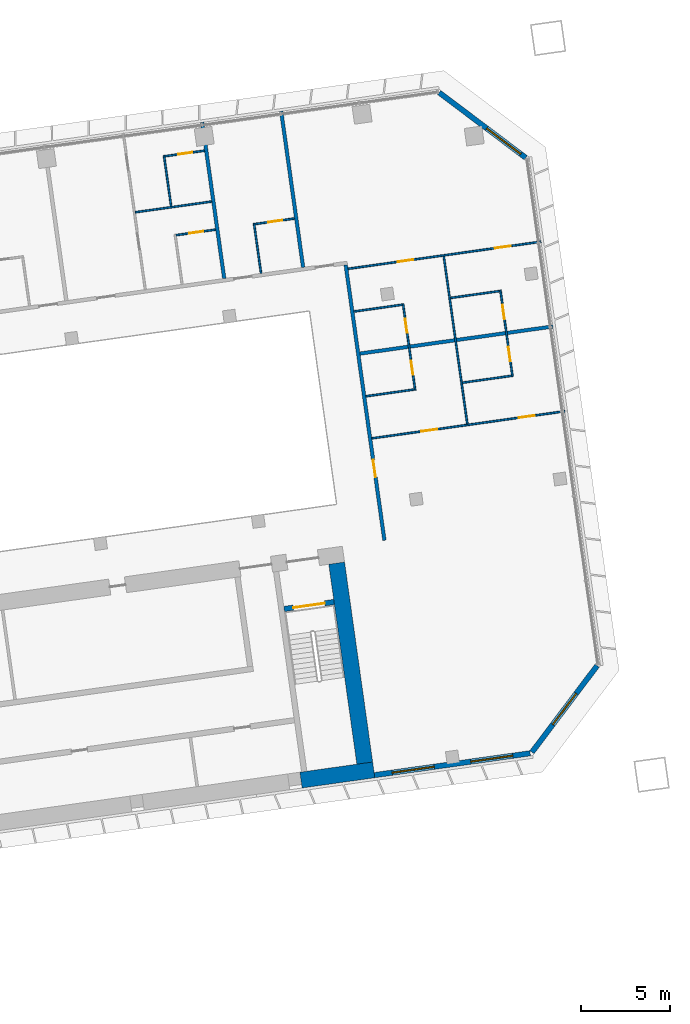
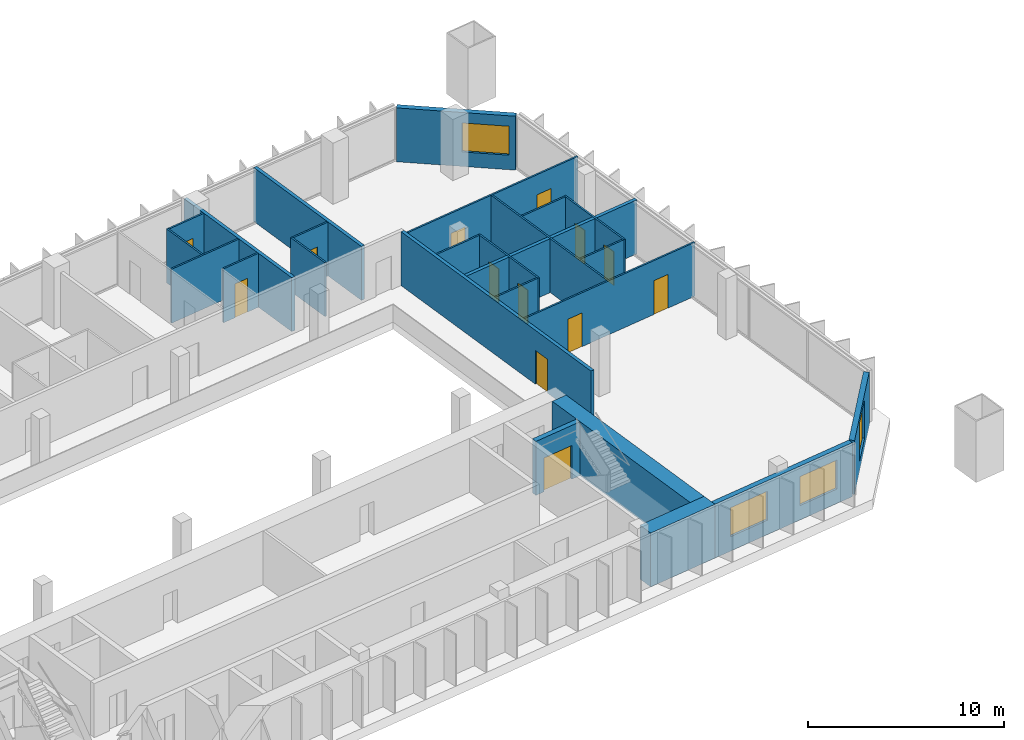
# One storey, part 22 of 25: 25 walls, 13 doors, 4 windows, 17 openings.
"""IFC4 building model written with IfcOpenShell, lengths in metres."""

from ifc_helpers import new_model, si_unit, direction, frame, frame_2d, origin, place, context, subcontext, project, spatial, rectangle, extrude, material, layer, layer_set, type_object, element, fill, save


model = new_model("IFC4")

# Units and contexts
model_context = context("Model", 3, precision=1e-05, world=origin(), true_north=direction((0.0, 1.0)))
body_context = subcontext(model_context, "Body", "Model", "MODEL_VIEW")
ifc_project = project(units=[si_unit("LENGTHUNIT", "METRE"), si_unit("AREAUNIT", "SQUARE_METRE"), si_unit("VOLUMEUNIT", "CUBIC_METRE"), si_unit("PLANEANGLEUNIT", "RADIAN"), si_unit("MASSUNIT", "GRAM", prefix="KILO")], contexts=[model_context])

# Site, building, storey
site_placement = place(None, origin())
site = spatial("IfcSite", under=ifc_project, at=site_placement, CompositionType="ELEMENT")
building_placement = place(site_placement, origin())
building = spatial("IfcBuilding", under=site, at=building_placement, Name="Mirante Cascada Hotel Towers", CompositionType="ELEMENT")
storey_placement = place(building_placement, frame((0.0, 0.0, 58.5)))
storey = spatial("IfcBuildingStorey", under=building, at=storey_placement, Name="L11", CompositionType="ELEMENT", Elevation=58.5)

# Walls
ifc_material_1 = material(Name="Fire-rated plasterboard on metal studs")
ifc_layer_1 = layer(ifc_material_1, 0.2)
ifc_layer_set_1 = layer_set([ifc_layer_1], Name="Compartment wall 200 EI 120")
wall_type_1 = type_object("IfcWallType", Name="Compartment wall 200 EI 120", PredefinedType="PARTITIONING", material=ifc_layer_set_1)
wall_1_placement = place(storey_placement, frame((100.6266, 12.8067, 0.0), z_axis=(0.0, 0.0, 1.0), x_axis=(-0.990268, -0.1391733, 0.0)))
element("IfcWall", 1, at=wall_1_placement, inside=storey, type_object=wall_type_1, Name="Wall 2-L11-13", PredefinedType="PARTITIONING", context=body_context, shape_type="SweptSolid", body=[
    extrude(rectangle(XDim=11.0, YDim=0.2, at=frame_2d((5.5, 0.0))), origin(), (0.0, 0.0, 1.0), 3.35),
])
wall_2_placement = place(storey_placement, frame((82.0688, 15.5171, 0.0), z_axis=(0.0, 0.0, 1.0), x_axis=(-0.13917, 0.9902685, 0.0)))
element("IfcWall", 2, at=wall_2_placement, inside=storey, type_object=wall_type_1, Name="Wall 2-L11-56", PredefinedType="PARTITIONING", context=body_context, shape_type="SweptSolid", body=[
    extrude(rectangle(XDim=8.8999, YDim=0.2, at=frame_2d((4.45, 0.0))), origin(), (0.0, 0.0, 1.0), 3.35),
])
wall_3_placement = place(storey_placement, frame((86.525, 16.1433, 0.0), z_axis=(0.0, 0.0, 1.0), x_axis=(-0.1391684, 0.9902687, 0.0)))
element("IfcWall", 3, at=wall_3_placement, inside=storey, type_object=wall_type_1, Name="Wall 2-L11-58", PredefinedType="PARTITIONING", context=body_context, shape_type="SweptSolid", body=[
    extrude(rectangle(XDim=8.9, YDim=0.2, at=frame_2d((4.45, 0.0))), origin(), (0.0, 0.0, 1.0), 3.35),
])

# Wall, opening, door
wall_4_placement = place(storey_placement, frame((88.9295, 16.2793, 0.0), z_axis=(0.0, 0.0, 1.0), x_axis=(0.1391721, -0.9902682, 0.0)))
wall_4 = element("IfcWall", 4, at=wall_4_placement, inside=storey, type_object=wall_type_1, Name="Wall 2-L11-59", PredefinedType="PARTITIONING", context=body_context, shape_type="SweptSolid", body=[
    extrude(rectangle(XDim=15.7, YDim=0.2, at=frame_2d((7.85, 0.0))), origin(), (0.0, 0.0, 1.0), 3.35),
])
opening_1_placement = place(wall_4_placement, frame((11.1, 0.0, 0.0)))
opening_1 = element("IfcOpeningElement", 5, at=opening_1_placement, cuts=wall_4, Name="Opening D2-L11-38", PredefinedType="OPENING", context=body_context, shape_type="SweptSolid", body=[
    extrude(rectangle(XDim=1.0, YDim=2.1, at=frame_2d((0.5, 1.05))), frame((0.0, 0.1, 0.0), z_axis=(0.0, -1.0, 0.0), x_axis=(1.0, 0.0, 0.0)), (0.0, 0.0, 1.0), 0.2),
])
ifc_material_2 = material(Name="Fire-rated timber door leaf", Category="wood")
door_type_1 = type_object("IfcDoorType", Name="Entrance door DG1 1000x2100 EI 60", OperationType="SINGLE_SWING_LEFT", PredefinedType="DOOR", material=ifc_material_2)
door_1_placement = place(opening_1_placement, origin())
door_1 = element("IfcDoor", 6, at=door_1_placement, inside=storey, type_object=door_type_1, Name="Door D2-L11-38", OperationType="SINGLE_SWING_LEFT", OverallHeight=2.1, OverallWidth=1.0, PredefinedType="DOOR", context=body_context, shape_type="SweptSolid", body=[
    extrude(rectangle(XDim=1.0, YDim=2.1, at=frame_2d((0.5, 1.05))), frame((0.0, 0.025, 0.0), z_axis=(0.0, -1.0, 0.0), x_axis=(1.0, 0.0, 0.0)), (0.0, 0.0, 1.0), 0.05),
])
fill(opening_1, door_1)

# Wall, openings, doors
ifc_material_3 = material(Name="Plasterboard on metal studs")
ifc_layer_2 = layer(ifc_material_3, 0.1)
ifc_layer_set_2 = layer_set([ifc_layer_2], Name="Partition 100")
wall_type_2 = type_object("IfcWallType", Name="Partition 100", PredefinedType="PARTITIONING", material=ifc_layer_set_2)
wall_5_placement = place(storey_placement, frame((101.2993, 8.0205, 0.0), z_axis=(0.0, 0.0, 1.0), x_axis=(-0.990268, -0.1391733, 0.0)))
wall_5 = element("IfcWall", 7, at=wall_5_placement, inside=storey, type_object=wall_type_2, Name="Wall 2-L11-07", PredefinedType="PARTITIONING", context=body_context, shape_type="SweptSolid", body=[
    extrude(rectangle(XDim=11.0, YDim=0.1, at=frame_2d((5.5, 0.0))), origin(), (0.0, 0.0, 1.0), 3.35),
])
opening_2_placement = place(wall_5_placement, frame((7.275, 0.0, 0.0)))
opening_2 = element("IfcOpeningElement", 8, at=opening_2_placement, cuts=wall_5, Name="Opening D2-L11-02", PredefinedType="OPENING", context=body_context, shape_type="SweptSolid", body=[
    extrude(rectangle(XDim=0.9, YDim=2.1, at=frame_2d((0.45, 1.05))), frame((0.0, 0.05, 0.0), z_axis=(0.0, -1.0, 0.0), x_axis=(1.0, 0.0, 0.0)), (0.0, 0.0, 1.0), 0.1),
])
opening_3_placement = place(wall_5_placement, frame((1.725, 0.0, 0.0)))
opening_3 = element("IfcOpeningElement", 9, at=opening_3_placement, cuts=wall_5, Name="Opening D2-L11-03", PredefinedType="OPENING", context=body_context, shape_type="SweptSolid", body=[
    extrude(rectangle(XDim=0.9, YDim=2.1, at=frame_2d((0.45, 1.05))), frame((0.0, 0.05, 0.0), z_axis=(0.0, -1.0, 0.0), x_axis=(1.0, 0.0, 0.0)), (0.0, 0.0, 1.0), 0.1),
])
ifc_material_4 = material(Name="Timber door leaf", Category="wood")
door_type_2 = type_object("IfcDoorType", Name="Room door DG3 900x2100", OperationType="SINGLE_SWING_LEFT", PredefinedType="DOOR", material=ifc_material_4)
door_2_placement = place(opening_2_placement, origin())
door_2 = element("IfcDoor", 10, at=door_2_placement, inside=storey, type_object=door_type_2, Name="Door D2-L11-02", OperationType="SINGLE_SWING_LEFT", OverallHeight=2.1, OverallWidth=0.9, PredefinedType="DOOR", context=body_context, shape_type="SweptSolid", body=[
    extrude(rectangle(XDim=0.9, YDim=2.1, at=frame_2d((0.45, 1.05))), frame((0.0, 0.025, 0.0), z_axis=(0.0, -1.0, 0.0), x_axis=(1.0, 0.0, 0.0)), (0.0, 0.0, 1.0), 0.05),
])
fill(opening_2, door_2)
door_3_placement = place(opening_3_placement, origin())
door_3 = element("IfcDoor", 11, at=door_3_placement, inside=storey, type_object=door_type_2, Name="Door D2-L11-03", OperationType="SINGLE_SWING_LEFT", OverallHeight=2.1, OverallWidth=0.9, PredefinedType="DOOR", context=body_context, shape_type="SweptSolid", body=[
    extrude(rectangle(XDim=0.9, YDim=2.1, at=frame_2d((0.45, 1.05))), frame((0.0, 0.025, 0.0), z_axis=(0.0, -1.0, 0.0), x_axis=(1.0, 0.0, 0.0)), (0.0, 0.0, 1.0), 0.05),
])
fill(opening_3, door_3)

# Walls
wall_6_placement = place(storey_placement, frame((90.0723, 8.8662, 0.0), z_axis=(0.0, 0.0, 1.0), x_axis=(0.9902698, 0.1391607, 0.0)))
element("IfcWall", 12, at=wall_6_placement, inside=storey, type_object=wall_type_2, Name="Wall 2-L11-10", PredefinedType="PARTITIONING", context=body_context, shape_type="SweptSolid", body=[
    extrude(rectangle(XDim=2.7501, YDim=0.1, at=frame_2d((1.3751, 0.0))), origin(), (0.0, 0.0, 1.0), 3.35),
])
wall_7_placement = place(storey_placement, frame((98.2916, 10.0213, 0.0), z_axis=(0.0, 0.0, 1.0), x_axis=(-0.9902726, -0.139141, 0.0)))
element("IfcWall", 13, at=wall_7_placement, inside=storey, type_object=wall_type_2, Name="Wall 2-L11-11", PredefinedType="PARTITIONING", context=body_context, shape_type="SweptSolid", body=[
    extrude(rectangle(XDim=2.8, YDim=0.1, at=frame_2d((1.4, 0.0))), origin(), (0.0, 0.0, 1.0), 3.35),
])
wall_8_placement = place(storey_placement, frame((89.3997, 13.6525, 0.0), z_axis=(0.0, 0.0, 1.0), x_axis=(0.9902691, 0.1391657, 0.0)))
element("IfcWall", 14, at=wall_8_placement, inside=storey, type_object=wall_type_2, Name="Wall 2-L11-14", PredefinedType="PARTITIONING", context=body_context, shape_type="SweptSolid", body=[
    extrude(rectangle(XDim=2.75, YDim=0.1, at=frame_2d((1.375, 0.0))), origin(), (0.0, 0.0, 1.0), 3.35),
])
wall_9_placement = place(storey_placement, frame((97.6189, 14.8076, 0.0), z_axis=(0.0, 0.0, 1.0), x_axis=(-0.9902677, -0.139176, 0.0)))
element("IfcWall", 15, at=wall_9_placement, inside=storey, type_object=wall_type_2, Name="Wall 2-L11-15", PredefinedType="PARTITIONING", context=body_context, shape_type="SweptSolid", body=[
    extrude(rectangle(XDim=2.8001, YDim=0.1, at=frame_2d((1.4, 0.0))), origin(), (0.0, 0.0, 1.0), 3.35),
])

# Wall, openings, doors
wall_10_placement = place(storey_placement, frame((89.061, 16.0622, 0.0), z_axis=(0.0, 0.0, 1.0), x_axis=(0.9902682, 0.1391721, 0.0)))
wall_10 = element("IfcWall", 16, at=wall_10_placement, inside=storey, type_object=wall_type_2, Name="Wall 2-L11-16", PredefinedType="PARTITIONING", context=body_context, shape_type="SweptSolid", body=[
    extrude(rectangle(XDim=11.0001, YDim=0.1, at=frame_2d((5.5, 0.0))), origin(), (0.0, 0.0, 1.0), 3.35),
])
opening_4_placement = place(wall_10_placement, frame((2.825, 0.0, 0.0)))
opening_4 = element("IfcOpeningElement", 17, at=opening_4_placement, cuts=wall_10, Name="Opening D2-L11-06", PredefinedType="OPENING", context=body_context, shape_type="SweptSolid", body=[
    extrude(rectangle(XDim=0.9, YDim=2.1, at=frame_2d((0.45, 1.05))), frame((0.0, 0.05, 0.0), z_axis=(0.0, -1.0, 0.0), x_axis=(1.0, 0.0, 0.0)), (0.0, 0.0, 1.0), 0.1),
])
opening_5_placement = place(wall_10_placement, frame((8.375, 0.0, 0.0)))
opening_5 = element("IfcOpeningElement", 18, at=opening_5_placement, cuts=wall_10, Name="Opening D2-L11-07", PredefinedType="OPENING", context=body_context, shape_type="SweptSolid", body=[
    extrude(rectangle(XDim=0.9, YDim=2.1, at=frame_2d((0.45, 1.05))), frame((0.0, 0.05, 0.0), z_axis=(0.0, -1.0, 0.0), x_axis=(1.0, 0.0, 0.0)), (0.0, 0.0, 1.0), 0.1),
])
door_4_placement = place(opening_4_placement, origin())
door_4 = element("IfcDoor", 19, at=door_4_placement, inside=storey, type_object=door_type_2, Name="Door D2-L11-06", OperationType="SINGLE_SWING_LEFT", OverallHeight=2.1, OverallWidth=0.9, PredefinedType="DOOR", context=body_context, shape_type="SweptSolid", body=[
    extrude(rectangle(XDim=0.9, YDim=2.1, at=frame_2d((0.45, 1.05))), frame((0.0, 0.025, 0.0), z_axis=(0.0, -1.0, 0.0), x_axis=(1.0, 0.0, 0.0)), (0.0, 0.0, 1.0), 0.05),
])
fill(opening_4, door_4)
door_5_placement = place(opening_5_placement, origin())
door_5 = element("IfcDoor", 20, at=door_5_placement, inside=storey, type_object=door_type_2, Name="Door D2-L11-07", OperationType="SINGLE_SWING_LEFT", OverallHeight=2.1, OverallWidth=0.9, PredefinedType="DOOR", context=body_context, shape_type="SweptSolid", body=[
    extrude(rectangle(XDim=0.9, YDim=2.1, at=frame_2d((0.45, 1.05))), frame((0.0, 0.025, 0.0), z_axis=(0.0, -1.0, 0.0), x_axis=(1.0, 0.0, 0.0)), (0.0, 0.0, 1.0), 0.05),
])
fill(opening_5, door_5)

# Wall, opening, door
wall_11_placement = place(storey_placement, frame((79.352, 17.9627, 0.0), z_axis=(0.0, 0.0, 1.0), x_axis=(0.9902643, 0.1391997, 0.0)))
wall_11 = element("IfcWall", 21, at=wall_11_placement, inside=storey, type_object=wall_type_2, Name="Wall 2-L11-22", PredefinedType="PARTITIONING", context=body_context, shape_type="SweptSolid", body=[
    extrude(rectangle(XDim=2.25, YDim=0.1, at=frame_2d((1.125, 0.0))), origin(), (0.0, 0.0, 1.0), 3.35),
])
opening_6_placement = place(wall_11_placement, frame((0.75, 0.0, 0.0)))
opening_6 = element("IfcOpeningElement", 22, at=opening_6_placement, cuts=wall_11, Name="Opening D2-L11-21", PredefinedType="OPENING", context=body_context, shape_type="SweptSolid", body=[
    extrude(rectangle(XDim=0.8, YDim=2.1, at=frame_2d((0.4, 1.05))), frame((0.0, 0.05, 0.0), z_axis=(0.0, -1.0, 0.0), x_axis=(1.0, 0.0, 0.0)), (0.0, 0.0, 1.0), 0.1),
])
ifc_material_5 = material(Name="Timber door leaf", Category="wood")
door_type_3 = type_object("IfcDoorType", Name="Bathroom door DG4 800x2100", OperationType="SINGLE_SWING_LEFT", PredefinedType="DOOR", material=ifc_material_5)
door_6_placement = place(opening_6_placement, frame((0.8, 0.0, 0.0), z_axis=(0.0, 0.0, 1.0), x_axis=(-1.0, 0.0, 0.0)))
door_6 = element("IfcDoor", 23, at=door_6_placement, inside=storey, type_object=door_type_3, Name="Door D2-L11-21", OperationType="SINGLE_SWING_RIGHT", OverallHeight=2.1, OverallWidth=0.8, PredefinedType="DOOR", context=body_context, shape_type="SweptSolid", body=[
    extrude(rectangle(XDim=0.8, YDim=2.1, at=frame_2d((0.4, 1.05))), frame((0.0, 0.025, 0.0), z_axis=(0.0, -1.0, 0.0), x_axis=(1.0, 0.0, 0.0)), (0.0, 0.0, 1.0), 0.05),
])
fill(opening_6, door_6)

wall_12_placement = place(storey_placement, frame((86.0363, 18.9022, 0.0), z_axis=(0.0, 0.0, 1.0), x_axis=(-0.9902643, -0.1391997, 0.0)))
wall_12 = element("IfcWall", 24, at=wall_12_placement, inside=storey, type_object=wall_type_2, Name="Wall 2-L11-23", PredefinedType="PARTITIONING", context=body_context, shape_type="SweptSolid", body=[
    extrude(rectangle(XDim=2.25, YDim=0.1, at=frame_2d((1.125, 0.0))), origin(), (0.0, 0.0, 1.0), 3.35),
])
opening_7_placement = place(wall_12_placement, frame((0.7, 0.0, 0.0)))
opening_7 = element("IfcOpeningElement", 25, at=opening_7_placement, cuts=wall_12, Name="Opening D2-L11-22", PredefinedType="OPENING", context=body_context, shape_type="SweptSolid", body=[
    extrude(rectangle(XDim=0.8, YDim=2.1, at=frame_2d((0.4, 1.05))), frame((0.0, 0.05, 0.0), z_axis=(0.0, -1.0, 0.0), x_axis=(1.0, 0.0, 0.0)), (0.0, 0.0, 1.0), 0.1),
])
door_7_placement = place(opening_7_placement, frame((0.8, 0.0, 0.0), z_axis=(0.0, 0.0, 1.0), x_axis=(-1.0, 0.0, 0.0)))
door_7 = element("IfcDoor", 26, at=door_7_placement, inside=storey, type_object=door_type_3, Name="Door D2-L11-22", OperationType="SINGLE_SWING_RIGHT", OverallHeight=2.1, OverallWidth=0.8, PredefinedType="DOOR", context=body_context, shape_type="SweptSolid", body=[
    extrude(rectangle(XDim=0.8, YDim=2.1, at=frame_2d((0.4, 1.05))), frame((0.0, 0.025, 0.0), z_axis=(0.0, -1.0, 0.0), x_axis=(1.0, 0.0, 0.0)), (0.0, 0.0, 1.0), 0.05),
])
fill(opening_7, door_7)

# Wall
wall_13_placement = place(storey_placement, frame((81.3574, 19.8603, 0.0), z_axis=(0.0, 0.0, 1.0), x_axis=(-0.9902679, -0.1391745, 0.0)))
element("IfcWall", 27, at=wall_13_placement, inside=storey, type_object=wall_type_2, Name="Wall 2-L11-27", PredefinedType="PARTITIONING", context=body_context, shape_type="SweptSolid", body=[
    extrude(rectangle(XDim=4.3499, YDim=0.1, at=frame_2d((2.175, 0.0))), origin(), (0.0, 0.0, 1.0), 3.35),
])

# Wall, opening, door
wall_14_placement = place(storey_placement, frame((78.7257, 22.419, 0.0), z_axis=(0.0, 0.0, 1.0), x_axis=(0.9902705, 0.1391561, 0.0)))
wall_14 = element("IfcWall", 28, at=wall_14_placement, inside=storey, type_object=wall_type_2, Name="Wall 2-L11-30", PredefinedType="PARTITIONING", context=body_context, shape_type="SweptSolid", body=[
    extrude(rectangle(XDim=2.25, YDim=0.1, at=frame_2d((1.125, 0.0))), origin(), (0.0, 0.0, 1.0), 3.35),
])
opening_8_placement = place(wall_14_placement, frame((0.75, 0.0, 0.0)))
opening_8 = element("IfcOpeningElement", 29, at=opening_8_placement, cuts=wall_14, Name="Opening D2-L11-25", PredefinedType="OPENING", context=body_context, shape_type="SweptSolid", body=[
    extrude(rectangle(XDim=0.8, YDim=2.1, at=frame_2d((0.4, 1.05))), frame((0.0, 0.05, 0.0), z_axis=(0.0, -1.0, 0.0), x_axis=(1.0, 0.0, 0.0)), (0.0, 0.0, 1.0), 0.1),
])
door_8_placement = place(opening_8_placement, frame((0.8, 0.0, 0.0), z_axis=(0.0, 0.0, 1.0), x_axis=(-1.0, 0.0, 0.0)))
door_8 = element("IfcDoor", 30, at=door_8_placement, inside=storey, type_object=door_type_3, Name="Door D2-L11-25", OperationType="SINGLE_SWING_RIGHT", OverallHeight=2.1, OverallWidth=0.8, PredefinedType="DOOR", context=body_context, shape_type="SweptSolid", body=[
    extrude(rectangle(XDim=0.8, YDim=2.1, at=frame_2d((0.4, 1.05))), frame((0.0, 0.025, 0.0), z_axis=(0.0, -1.0, 0.0), x_axis=(1.0, 0.0, 0.0)), (0.0, 0.0, 1.0), 0.05),
])
fill(opening_8, door_8)

# Walls
wall_15_placement = place(storey_placement, frame((78.6693, 22.4615, 0.0), z_axis=(0.0, 0.0, 1.0), x_axis=(0.1391714, -0.9902683, 0.0)))
element("IfcWall", 31, at=wall_15_placement, inside=storey, type_object=wall_type_2, Name="Wall 2-L11-55", PredefinedType="PARTITIONING", context=body_context, shape_type="SweptSolid", body=[
    extrude(rectangle(XDim=2.9, YDim=0.1, at=frame_2d((1.45, 0.0))), origin(), (0.0, 0.0, 1.0), 3.35),
])
wall_16_placement = place(storey_placement, frame((83.7517, 18.6316, 0.0), z_axis=(0.0, 0.0, 1.0), x_axis=(0.1391909, -0.9902656, 0.0)))
element("IfcWall", 32, at=wall_16_placement, inside=storey, type_object=wall_type_2, Name="Wall 2-L11-57", PredefinedType="PARTITIONING", context=body_context, shape_type="SweptSolid", body=[
    extrude(rectangle(XDim=2.85, YDim=0.1, at=frame_2d((1.425, 0.0))), origin(), (0.0, 0.0, 1.0), 3.35),
])

# Wall, openings, doors
wall_17_placement = place(storey_placement, frame((92.852, 9.2064, 0.0), z_axis=(0.0, 0.0, 1.0), x_axis=(-0.1391564, 0.9902704, 0.0)))
wall_17 = element("IfcWall", 33, at=wall_17_placement, inside=storey, type_object=wall_type_2, Name="Wall 2-L11-60", PredefinedType="PARTITIONING", context=body_context, shape_type="SweptSolid", body=[
    extrude(rectangle(XDim=4.9333, YDim=0.1, at=frame_2d((2.4666, 0.0))), origin(), (0.0, 0.0, 1.0), 3.35),
])
opening_9_placement = place(wall_17_placement, frame((0.8833, 0.0, 0.0)))
opening_9 = element("IfcOpeningElement", 34, at=opening_9_placement, cuts=wall_17, Name="Opening D2-L11-39", PredefinedType="OPENING", context=body_context, shape_type="SweptSolid", body=[
    extrude(rectangle(XDim=0.8, YDim=2.1, at=frame_2d((0.4, 1.05))), frame((0.0, 0.05, 0.0), z_axis=(0.0, -1.0, 0.0), x_axis=(1.0, 0.0, 0.0)), (0.0, 0.0, 1.0), 0.1),
])
opening_10_placement = place(wall_17_placement, frame((3.2833, 0.0, 0.0)))
opening_10 = element("IfcOpeningElement", 35, at=opening_10_placement, cuts=wall_17, Name="Opening D2-L11-40", PredefinedType="OPENING", context=body_context, shape_type="SweptSolid", body=[
    extrude(rectangle(XDim=0.8, YDim=2.1, at=frame_2d((0.4, 1.05))), frame((0.0, 0.05, 0.0), z_axis=(0.0, -1.0, 0.0), x_axis=(1.0, 0.0, 0.0)), (0.0, 0.0, 1.0), 0.1),
])
door_9_placement = place(opening_9_placement, frame((0.8, 0.0, 0.0), z_axis=(0.0, 0.0, 1.0), x_axis=(-1.0, 0.0, 0.0)))
door_9 = element("IfcDoor", 36, at=door_9_placement, inside=storey, type_object=door_type_3, Name="Door D2-L11-39", OperationType="SINGLE_SWING_RIGHT", OverallHeight=2.1, OverallWidth=0.8, PredefinedType="DOOR", context=body_context, shape_type="SweptSolid", body=[
    extrude(rectangle(XDim=0.8, YDim=2.1, at=frame_2d((0.4, 1.05))), frame((0.0, 0.025, 0.0), z_axis=(0.0, -1.0, 0.0), x_axis=(1.0, 0.0, 0.0)), (0.0, 0.0, 1.0), 0.05),
])
fill(opening_9, door_9)
door_10_placement = place(opening_10_placement, origin())
door_10 = element("IfcDoor", 37, at=door_10_placement, inside=storey, type_object=door_type_3, Name="Door D2-L11-40", OperationType="SINGLE_SWING_LEFT", OverallHeight=2.1, OverallWidth=0.8, PredefinedType="DOOR", context=body_context, shape_type="SweptSolid", body=[
    extrude(rectangle(XDim=0.8, YDim=2.1, at=frame_2d((0.4, 1.05))), frame((0.0, 0.025, 0.0), z_axis=(0.0, -1.0, 0.0), x_axis=(1.0, 0.0, 0.0)), (0.0, 0.0, 1.0), 0.05),
])
fill(opening_10, door_10)

# Wall
wall_18_placement = place(storey_placement, frame((94.4649, 16.7712, 0.0), z_axis=(0.0, 0.0, 1.0), x_axis=(0.1391805, -0.990267, 0.0)))
element("IfcWall", 38, at=wall_18_placement, inside=storey, type_object=wall_type_2, Name="Wall 2-L11-61", PredefinedType="PARTITIONING", context=body_context, shape_type="SweptSolid", body=[
    extrude(rectangle(XDim=9.5667, YDim=0.1, at=frame_2d((4.7834, 0.0))), origin(), (0.0, 0.0, 1.0), 3.35),
])

# Wall, openings, doors
wall_19_placement = place(storey_placement, frame((98.348, 9.9788, 0.0), z_axis=(0.0, 0.0, 1.0), x_axis=(-0.1391564, 0.9902704, 0.0)))
wall_19 = element("IfcWall", 39, at=wall_19_placement, inside=storey, type_object=wall_type_2, Name="Wall 2-L11-62", PredefinedType="PARTITIONING", context=body_context, shape_type="SweptSolid", body=[
    extrude(rectangle(XDim=4.9333, YDim=0.1, at=frame_2d((2.4666, 0.0))), origin(), (0.0, 0.0, 1.0), 3.35),
])
opening_11_placement = place(wall_19_placement, frame((0.8833, 0.0, 0.0)))
opening_11 = element("IfcOpeningElement", 40, at=opening_11_placement, cuts=wall_19, Name="Opening D2-L11-41", PredefinedType="OPENING", context=body_context, shape_type="SweptSolid", body=[
    extrude(rectangle(XDim=0.8, YDim=2.1, at=frame_2d((0.4, 1.05))), frame((0.0, 0.05, 0.0), z_axis=(0.0, -1.0, 0.0), x_axis=(1.0, 0.0, 0.0)), (0.0, 0.0, 1.0), 0.1),
])
opening_12_placement = place(wall_19_placement, frame((3.2833, 0.0, 0.0)))
opening_12 = element("IfcOpeningElement", 41, at=opening_12_placement, cuts=wall_19, Name="Opening D2-L11-42", PredefinedType="OPENING", context=body_context, shape_type="SweptSolid", body=[
    extrude(rectangle(XDim=0.8, YDim=2.1, at=frame_2d((0.4, 1.05))), frame((0.0, 0.05, 0.0), z_axis=(0.0, -1.0, 0.0), x_axis=(1.0, 0.0, 0.0)), (0.0, 0.0, 1.0), 0.1),
])
door_11_placement = place(opening_11_placement, frame((0.8, 0.0, 0.0), z_axis=(0.0, 0.0, 1.0), x_axis=(-1.0, 0.0, 0.0)))
door_11 = element("IfcDoor", 42, at=door_11_placement, inside=storey, type_object=door_type_3, Name="Door D2-L11-41", OperationType="SINGLE_SWING_RIGHT", OverallHeight=2.1, OverallWidth=0.8, PredefinedType="DOOR", context=body_context, shape_type="SweptSolid", body=[
    extrude(rectangle(XDim=0.8, YDim=2.1, at=frame_2d((0.4, 1.05))), frame((0.0, 0.025, 0.0), z_axis=(0.0, -1.0, 0.0), x_axis=(1.0, 0.0, 0.0)), (0.0, 0.0, 1.0), 0.05),
])
fill(opening_11, door_11)
door_12_placement = place(opening_12_placement, origin())
door_12 = element("IfcDoor", 43, at=door_12_placement, inside=storey, type_object=door_type_3, Name="Door D2-L11-42", OperationType="SINGLE_SWING_LEFT", OverallHeight=2.1, OverallWidth=0.8, PredefinedType="DOOR", context=body_context, shape_type="SweptSolid", body=[
    extrude(rectangle(XDim=0.8, YDim=2.1, at=frame_2d((0.4, 1.05))), frame((0.0, 0.025, 0.0), z_axis=(0.0, -1.0, 0.0), x_axis=(1.0, 0.0, 0.0)), (0.0, 0.0, 1.0), 0.05),
])
fill(opening_12, door_12)

# Wall, openings, windows
ifc_material_6 = material(Name="Precast concrete C40/50", Category="concrete")
ifc_layer_3 = layer(ifc_material_6, 0.3)
ifc_layer_set_3 = layer_set([ifc_layer_3], Name="Precast concrete C40/50 cladding wall 300")
wall_type_3 = type_object("IfcWallType", Name="Precast concrete C40/50 cladding wall 300", PredefinedType="STANDARD", material=ifc_layer_set_3)
wall_20_placement = place(storey_placement, frame((90.5541, -12.5249, 0.0), z_axis=(0.0, 0.0, 1.0), x_axis=(0.9902676, 0.1391765, 0.0)))
wall_20 = element("IfcWall", 44, at=wall_20_placement, inside=storey, type_object=wall_type_3, Name="Rear cladding wall T2 L11 1", PredefinedType="STANDARD", context=body_context, shape_type="SweptSolid", body=[
    extrude(rectangle(XDim=8.8758, YDim=0.3, at=frame_2d((4.4379, 0.0))), origin(), (0.0, 0.0, 1.0), 3.35),
])
opening_13_placement = place(wall_20_placement, frame((1.0012, 0.0, 0.9)))
opening_13 = element("IfcOpeningElement", 45, at=opening_13_placement, cuts=wall_20, Name="Opening W2-11-01", PredefinedType="OPENING", context=body_context, shape_type="SweptSolid", body=[
    extrude(rectangle(XDim=2.4, YDim=1.8, at=frame_2d((1.2, 0.9))), frame((0.0, 0.15, 0.0), z_axis=(0.0, -1.0, 0.0), x_axis=(1.0, 0.0, 0.0)), (0.0, 0.0, 1.0), 0.3),
])
opening_14_placement = place(wall_20_placement, frame((5.4923, 0.0, 0.9)))
opening_14 = element("IfcOpeningElement", 46, at=opening_14_placement, cuts=wall_20, Name="Opening W2-11-02", PredefinedType="OPENING", context=body_context, shape_type="SweptSolid", body=[
    extrude(rectangle(XDim=2.4, YDim=1.8, at=frame_2d((1.2, 0.9))), frame((0.0, 0.15, 0.0), z_axis=(0.0, -1.0, 0.0), x_axis=(1.0, 0.0, 0.0)), (0.0, 0.0, 1.0), 0.3),
])
ifc_material_7 = material(Name="Aluminium frame with clear double glazing", Category="aluminium")
window_type_1 = type_object("IfcWindowType", Name="Punched window 2400x1800", PartitioningType="DOUBLE_PANEL_VERTICAL", PredefinedType="WINDOW", material=ifc_material_7)
window_1_placement = place(opening_13_placement, origin())
window_1 = element("IfcWindow", 47, at=window_1_placement, inside=storey, type_object=window_type_1, Name="Window W2-11-01", OverallHeight=1.8, OverallWidth=2.4, PartitioningType="SINGLE_PANEL", PredefinedType="WINDOW", context=body_context, shape_type="SweptSolid", body=[
    extrude(rectangle(XDim=2.4, YDim=1.8, at=frame_2d((1.2, 0.9))), frame((0.0, 0.03, 0.0), z_axis=(0.0, -1.0, 0.0), x_axis=(1.0, 0.0, 0.0)), (0.0, 0.0, 1.0), 0.06),
])
fill(opening_13, window_1)
window_2_placement = place(opening_14_placement, origin())
window_2 = element("IfcWindow", 48, at=window_2_placement, inside=storey, type_object=window_type_1, Name="Window W2-11-02", OverallHeight=1.8, OverallWidth=2.4, PartitioningType="SINGLE_PANEL", PredefinedType="WINDOW", context=body_context, shape_type="SweptSolid", body=[
    extrude(rectangle(XDim=2.4, YDim=1.8, at=frame_2d((1.2, 0.9))), frame((0.0, 0.03, 0.0), z_axis=(0.0, -1.0, 0.0), x_axis=(1.0, 0.0, 0.0)), (0.0, 0.0, 1.0), 0.06),
])
fill(opening_14, window_2)

# Wall, opening, window
wall_21_placement = place(storey_placement, frame((99.4424, -11.2313, 0.0), z_axis=(0.0, 0.0, 1.0), x_axis=(0.6018194, 0.7986322, 0.0)))
wall_21 = element("IfcWall", 49, at=wall_21_placement, inside=storey, type_object=wall_type_3, Name="Corner cladding wall T2 L11 rear outer", PredefinedType="STANDARD", context=body_context, shape_type="SweptSolid", body=[
    extrude(rectangle(XDim=6.1155, YDim=0.3, at=frame_2d((3.0578, 0.0))), origin(), (0.0, 0.0, 1.0), 3.35),
])
opening_15_placement = place(wall_21_placement, frame((1.9576, 0.0, 0.6)))
opening_15 = element("IfcOpeningElement", 50, at=opening_15_placement, cuts=wall_21, Name="Opening W2-11-03", PredefinedType="OPENING", context=body_context, shape_type="SweptSolid", body=[
    extrude(rectangle(XDim=2.2, YDim=2.4, at=frame_2d((1.1, 1.2))), frame((0.0, 0.15, 0.0), z_axis=(0.0, -1.0, 0.0), x_axis=(1.0, 0.0, 0.0)), (0.0, 0.0, 1.0), 0.3),
])
ifc_material_8 = material(Name="Aluminium frame with clear double glazing", Category="aluminium")
window_type_2 = type_object("IfcWindowType", Name="Corner suite window 2200x2400", PartitioningType="DOUBLE_PANEL_VERTICAL", PredefinedType="WINDOW", material=ifc_material_8)
window_3_placement = place(opening_15_placement, origin())
window_3 = element("IfcWindow", 51, at=window_3_placement, inside=storey, type_object=window_type_2, Name="Window W2-11-03", OverallHeight=2.4, OverallWidth=2.2, PartitioningType="SINGLE_PANEL", PredefinedType="WINDOW", context=body_context, shape_type="SweptSolid", body=[
    extrude(rectangle(XDim=2.2, YDim=2.4, at=frame_2d((1.1, 1.2))), frame((0.0, 0.03, 0.0), z_axis=(0.0, -1.0, 0.0), x_axis=(1.0, 0.0, 0.0)), (0.0, 0.0, 1.0), 0.06),
])
fill(opening_15, window_3)

wall_22_placement = place(storey_placement, frame((99.0919, 22.3343, 0.0), z_axis=(0.0, 0.0, 1.0), x_axis=(-0.7986362, 0.6018141, 0.0)))
wall_22 = element("IfcWall", 52, at=wall_22_placement, inside=storey, type_object=wall_type_3, Name="Corner cladding wall T2 L11 outer front", PredefinedType="STANDARD", context=body_context, shape_type="SweptSolid", body=[
    extrude(rectangle(XDim=6.1157, YDim=0.3, at=frame_2d((3.0578, 0.0))), origin(), (0.0, 0.0, 1.0), 3.35),
])
opening_16_placement = place(wall_22_placement, frame((0.35, 0.0, 0.9)))
opening_16 = element("IfcOpeningElement", 53, at=opening_16_placement, cuts=wall_22, Name="Opening W2-11-06", PredefinedType="OPENING", context=body_context, shape_type="SweptSolid", body=[
    extrude(rectangle(XDim=2.4, YDim=1.8, at=frame_2d((1.2, 0.9))), frame((0.0, 0.15, 0.0), z_axis=(0.0, -1.0, 0.0), x_axis=(1.0, 0.0, 0.0)), (0.0, 0.0, 1.0), 0.3),
])
window_4_placement = place(opening_16_placement, origin())
window_4 = element("IfcWindow", 54, at=window_4_placement, inside=storey, type_object=window_type_1, Name="Window W2-11-06", OverallHeight=1.8, OverallWidth=2.4, PartitioningType="SINGLE_PANEL", PredefinedType="WINDOW", context=body_context, shape_type="SweptSolid", body=[
    extrude(rectangle(XDim=2.4, YDim=1.8, at=frame_2d((1.2, 0.9))), frame((0.0, 0.03, 0.0), z_axis=(0.0, -1.0, 0.0), x_axis=(1.0, 0.0, 0.0)), (0.0, 0.0, 1.0), 0.06),
])
fill(opening_16, window_4)

# Wall, opening, door
ifc_material_9 = material(Name="Concrete C50/60", Category="concrete")
ifc_layer_4 = layer(ifc_material_9, 0.3)
ifc_layer_set_4 = layer_set([ifc_layer_4], Name="RC core wall 300 C50/60")
wall_type_4 = type_object("IfcWallType", Name="RC core wall 300 C50/60", PredefinedType="SHEAR", material=ifc_layer_set_4)
wall_23_placement = place(storey_placement, frame((85.4489, -3.1441, 0.0), z_axis=(0.0, 0.0, 1.0), x_axis=(0.9902697, 0.1391613, 0.0)))
wall_23 = element("IfcWall", 55, at=wall_23_placement, inside=storey, type_object=wall_type_4, Name="Core wall T2:L11:11", PredefinedType="SHEAR", context=body_context, shape_type="SweptSolid", body=[
    extrude(rectangle(XDim=2.8499, YDim=0.3, at=frame_2d((1.425, 0.0))), origin(), (0.0, 0.0, 1.0), 3.35),
])
opening_17_placement = place(wall_23_placement, frame((0.525, 0.0, 0.0)))
opening_17 = element("IfcOpeningElement", 56, at=opening_17_placement, cuts=wall_23, Name="Opening D2-11-C17", PredefinedType="OPENING", context=body_context, shape_type="SweptSolid", body=[
    extrude(rectangle(XDim=1.8, YDim=2.1, at=frame_2d((0.9, 1.05))), frame((0.0, 0.15, 0.0), z_axis=(0.0, -1.0, 0.0), x_axis=(1.0, 0.0, 0.0)), (0.0, 0.0, 1.0), 0.3),
])
ifc_material_10 = material(Name="Hollow metal fire door leaf")
door_type_4 = type_object("IfcDoorType", Name="Double fire door 1800x2100 FD60", OperationType="DOUBLE_DOOR_SINGLE_SWING", PredefinedType="DOOR", material=ifc_material_10)
door_13_placement = place(opening_17_placement, frame((1.8, 0.0, 0.0), z_axis=(0.0, 0.0, 1.0), x_axis=(-1.0, 0.0, 0.0)))
door_13 = element("IfcDoor", 57, at=door_13_placement, inside=storey, type_object=door_type_4, Name="Stair door T2 L11 17", OperationType="DOUBLE_DOOR_SINGLE_SWING", OverallHeight=2.1, OverallWidth=1.8, PredefinedType="DOOR", context=body_context, shape_type="SweptSolid", body=[
    extrude(rectangle(XDim=0.895, YDim=2.1, at=frame_2d((0.4475, 1.05))), frame((0.0, 0.025, 0.0), z_axis=(0.0, -1.0, 0.0), x_axis=(1.0, 0.0, 0.0)), (0.0, 0.0, 1.0), 0.05),
    extrude(rectangle(XDim=0.895, YDim=2.1, at=frame_2d((1.3525, 1.05))), frame((0.0, 0.025, 0.0), z_axis=(0.0, -1.0, 0.0), x_axis=(1.0, 0.0, 0.0)), (0.0, 0.0, 1.0), 0.05),
])
fill(opening_17, door_13)

# Walls
ifc_material_11 = material(Name="Concrete C50/60", Category="concrete")
ifc_layer_5 = layer(ifc_material_11, 0.9)
ifc_layer_set_5 = layer_set([ifc_layer_5], Name="RC core wall 900 C50/60")
wall_type_5 = type_object("IfcWallType", Name="RC core wall 900 C50/60", PredefinedType="SHEAR", material=ifc_layer_set_5)
wall_24_placement = place(storey_placement, frame((86.4027, -12.8054, 0.0), z_axis=(0.0, 0.0, 1.0), x_axis=(0.990267, 0.139181, 0.0)))
element("IfcWall", 58, at=wall_24_placement, inside=storey, type_object=wall_type_5, Name="Core wall T2:L11:1.7", PredefinedType="SHEAR", context=body_context, shape_type="SweptSolid", body=[
    extrude(rectangle(XDim=4.15, YDim=0.9, at=frame_2d((2.075, 0.0))), origin(), (0.0, 0.0, 1.0), 3.35),
])
wall_25_placement = place(storey_placement, frame((90.0041, -11.8449, 0.0), z_axis=(0.0, 0.0, 1.0), x_axis=(-0.1391749, 0.9902678, 0.0)))
element("IfcWall", 59, at=wall_25_placement, inside=storey, type_object=wall_type_5, Name="Core wall T2:L11:4", PredefinedType="SHEAR", context=body_context, shape_type="SweptSolid", body=[
    extrude(rectangle(XDim=11.4, YDim=0.9, at=frame_2d((5.7, 0.0))), origin(), (0.0, 0.0, 1.0), 3.35),
])

save(model, "model.ifc")
